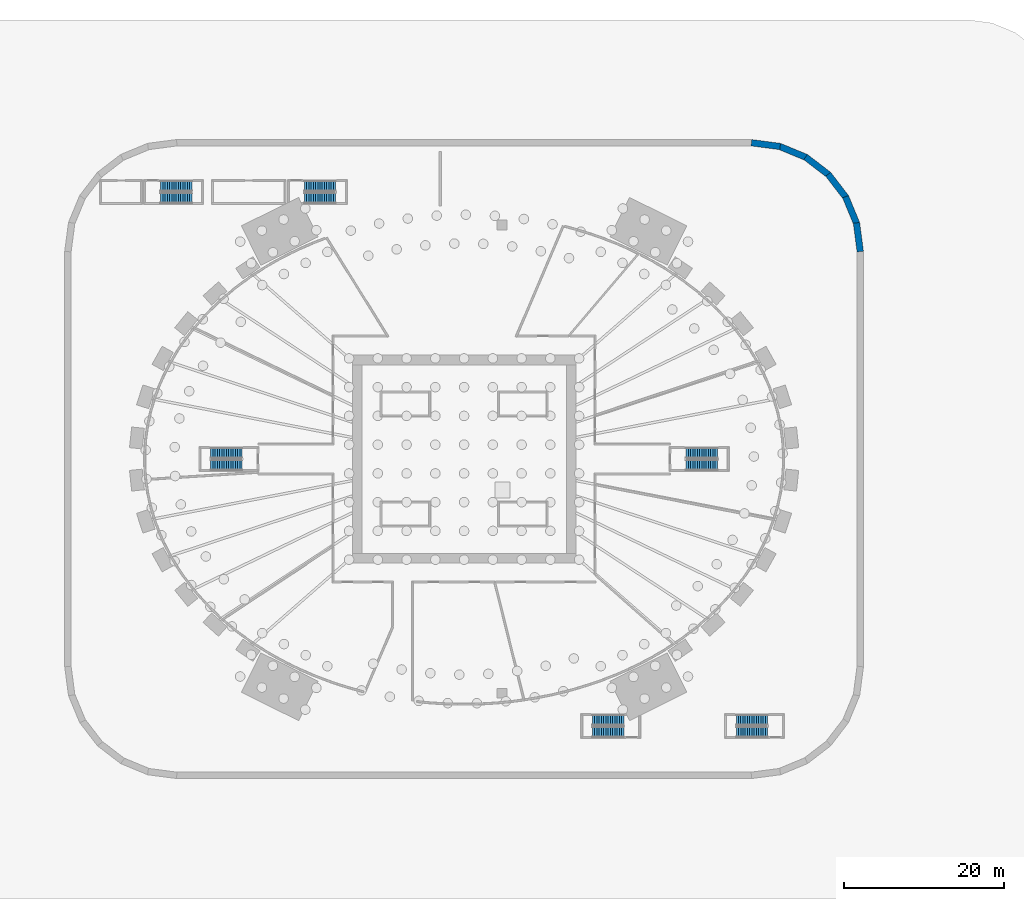
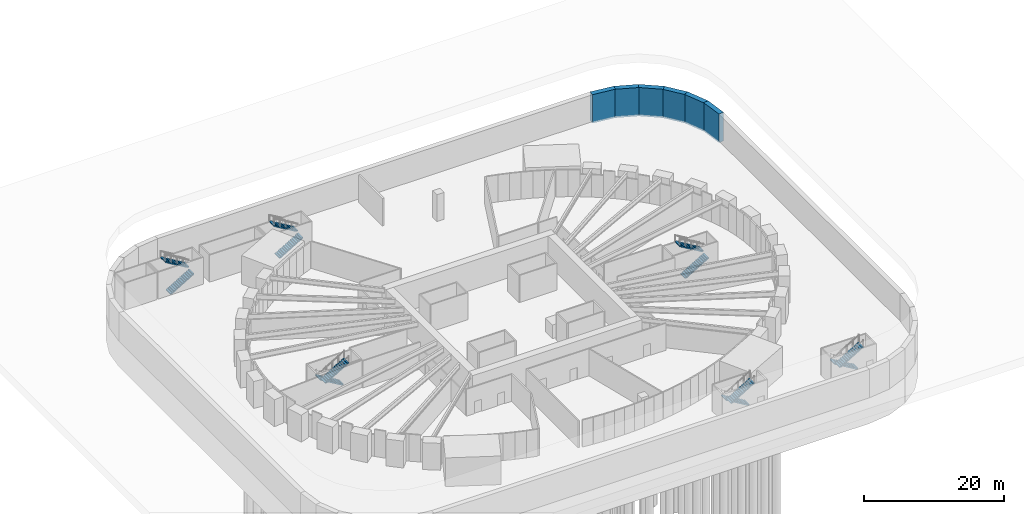
# One storey, part 8 of 14: 12 stair flights, 6 walls, 6 elements without a shape of their own.
"""IFC4 building model written with IfcOpenShell, lengths in metres."""

from ifc_helpers import new_model, si_unit, direction, frame, frame_2d, origin, place, context, subcontext, project, spatial, polyline, rectangle, outline, extrude, source, transform, mapped, material, layer, layer_set, type_object, element, aggregate, save


model = new_model("IFC4")

# Units and contexts
model_context = context("Model", 3, precision=1e-05, world=origin(), true_north=direction((0.0, 1.0)))
body_context = subcontext(model_context, "Body", "Model", "MODEL_VIEW")
ifc_project = project(units=[si_unit("LENGTHUNIT", "METRE"), si_unit("AREAUNIT", "SQUARE_METRE"), si_unit("VOLUMEUNIT", "CUBIC_METRE"), si_unit("PLANEANGLEUNIT", "RADIAN"), si_unit("MASSUNIT", "GRAM", prefix="KILO")], contexts=[model_context])

# Site, building, storey
site_placement = place(None, origin())
site = spatial("IfcSite", under=ifc_project, at=site_placement, CompositionType="ELEMENT")
building_placement = place(site_placement, origin())
building = spatial("IfcBuilding", under=site, at=building_placement, Name="Embergate Tower", CompositionType="ELEMENT")
storey_placement = place(building_placement, frame((0.0, 0.0, -10.0)))
storey = spatial("IfcBuildingStorey", under=building, at=storey_placement, Name="B2", CompositionType="ELEMENT", Elevation=-10.0)

# Walls
ifc_material = material(Name="Concrete C40", Category="concrete")
ifc_layer = layer(ifc_material, 0.800048828125)
ifc_layer_set = layer_set([ifc_layer], Name="Concrete C40")
wall_type = type_object("IfcWallType", Name="Basement retaining wall C40 800", PredefinedType="SOLIDWALL", material=ifc_layer_set)
shared_shape_1 = source(origin(), body_context, "Body", "SweptSolid", [
    extrude(rectangle(XDim=3.62890625, YDim=0.800048828125, at=frame_2d((1.814453125, 0.0))), origin(), (0.0, 0.0, 1.0), 5.0),
])
for number, where, z_axis, x_axis, name in (
    (1, (49.60302734375, 25.97412109375, -0.300048828125), (0.0, 0.0, 1.0), (-0.130383159045, 0.991463681552, 0.0), "RWL-B2-000"),
    (2, (39.572021484375, 39.1298828125, -0.300048828125), (0.0, 0.0, 1.0), (-0.991463681552, 0.130383159045, 0.0), "RWL-B2-005"),
):
    element("IfcWall", number, at=place(storey_placement, frame(where, z_axis=z_axis, x_axis=x_axis)), inside=storey, type_object=wall_type, Name=name, PredefinedType="SOLIDWALL", context=body_context, shape_type="MappedRepresentation", body=[
        mapped(shared_shape_1, transform((0.0, 0.0, 0.0))),
    ])
shared_shape_2 = source(origin(), body_context, "Body", "SweptSolid", [
    extrude(rectangle(XDim=3.65625, YDim=0.800048828125, at=frame_2d((1.828125, 0.0))), origin(), (0.0, 0.0, 1.0), 5.0),
])
for number, where, z_axis, x_axis, name in (
    (3, (49.156982421875, 29.470947265625, -0.300048828125), (0.0, 0.0, 1.0), (-0.382599476739, 0.923914303601, 0.0), "RWL-B2-001"),
    (4, (42.84912109375, 37.758056640625, -0.300048828125), (0.0, 0.0, 1.0), (-0.923914303601, 0.382599476739, 0.0), "RWL-B2-004"),
):
    element("IfcWall", number, at=place(storey_placement, frame(where, z_axis=z_axis, x_axis=x_axis)), inside=storey, type_object=wall_type, Name=name, PredefinedType="SOLIDWALL", context=body_context, shape_type="MappedRepresentation", body=[
        mapped(shared_shape_2, transform((0.0, 0.0, 0.0))),
    ])
shared_shape_3 = source(origin(), body_context, "Body", "SweptSolid", [
    extrude(rectangle(XDim=3.656005859375, YDim=0.800048828125, at=frame_2d((1.828125, 0.0))), origin(), (0.0, 0.0, 1.0), 5.0),
])
for number, where, z_axis, x_axis, name in (
    (5, (47.81005859375, 32.758056640625, -0.300048828125), (0.0, 0.0, 1.0), (-0.608619384994, 0.793462314297, 0.0), "RWL-B2-002"),
    (6, (45.658935546875, 35.5849609375, -0.300048828125), (0.0, 0.0, 1.0), (-0.793462314297, 0.608619384994, 0.0), "RWL-B2-003"),
):
    element("IfcWall", number, at=place(storey_placement, frame(where, z_axis=z_axis, x_axis=x_axis)), inside=storey, type_object=wall_type, Name=name, PredefinedType="SOLIDWALL", context=body_context, shape_type="MappedRepresentation", body=[
        mapped(shared_shape_3, transform((0.0, 0.0, 0.0))),
    ])

# Stair, stair flights
stair_type = type_object("IfcStairType", Name="Exit stair RC", PredefinedType="HALF_TURN_STAIR", material=ifc_material)
stair_1_placement = place(storey_placement, origin())
stair_1 = element("IfcStair", 7, at=stair_1_placement, inside=storey, type_object=stair_type, Name="B2 Basement exit stair S1", PredefinedType="HALF_TURN_STAIR")
stair_flight_type = type_object("IfcStairFlightType", Name="Exit stair flight RC", PredefinedType="STRAIGHT", material=ifc_material)
shared_shape_4 = source(origin(), body_context, "Body", "SweptSolid", [
    extrude(outline(polyline([(0.0, 0.0), (0.0, 0.166748046875), (0.280029296875, 0.166748046875), (0.280029296875, 0.333251953125), (0.56005859375, 0.333251953125), (0.56005859375, 0.5), (0.840087890625, 0.5), (0.840087890625, 0.666748046875), (1.1201171875, 0.666748046875), (1.1201171875, 0.833251953125), (1.39990234375, 0.833251953125), (1.39990234375, 1.0), (1.679931640625, 1.0), (1.679931640625, 1.166748046875), (1.9599609375, 1.166748046875), (1.9599609375, 1.333251953125), (2.239990234375, 1.333251953125), (2.239990234375, 1.5), (2.52001953125, 1.5), (2.52001953125, 1.666748046875), (2.800048828125, 1.666748046875), (2.800048828125, 1.833251953125), (3.080078125, 1.833251953125), (3.080078125, 2.0), (3.360107421875, 2.0), (3.360107421875, 2.166748046875), (3.639892578125, 2.166748046875), (3.639892578125, 2.333251953125), (3.919921875, 2.333251953125), (3.919921875, 2.5), (3.919921875, 2.158935546875), (0.29296875, 0.0), (0.0, 0.0)])), frame((0.0, 0.675048828125, 0.0), z_axis=(0.0, -1.0, 0.0), x_axis=(1.0, 0.0, 0.0)), (0.0, 0.0, 1.0), 1.35009765625),
])
stair_flight_1_placement = place(storey_placement, frame((-20.0, 32.675048828125, 0.0), z_axis=(0.0, 0.0, 1.0), x_axis=(1.0, 0.0, 0.0)))
stair_flight_1 = element("IfcStairFlight", 8, at=stair_flight_1_placement, type_object=stair_flight_type, Name="XS1 flight 1", NumberOfRisers=15, NumberOfTreads=14, PredefinedType="STRAIGHT", RiserHeight=0.166666667, TreadLength=0.28, context=body_context, shape_type="MappedRepresentation", body=[
    mapped(shared_shape_4, transform((0.0, 0.0, 0.0))),
])
stair_flight_2_placement = place(storey_placement, frame((-16.080078125, 34.175048828125, 2.5), z_axis=(0.0, 0.0, 1.0), x_axis=(-1.0, 0.0, 0.0)))
stair_flight_2 = element("IfcStairFlight", 9, at=stair_flight_2_placement, type_object=stair_flight_type, Name="XS1 flight 2", NumberOfRisers=15, NumberOfTreads=14, PredefinedType="STRAIGHT", RiserHeight=0.166666667, TreadLength=0.28, context=body_context, shape_type="MappedRepresentation", body=[
    mapped(shared_shape_4, transform((0.0, 0.0, 0.0))),
])
aggregate(stair_1, [stair_flight_1, stair_flight_2])

stair_2_placement = place(storey_placement, origin())
stair_2 = element("IfcStair", 10, at=stair_2_placement, inside=storey, type_object=stair_type, Name="B2 Basement exit stair S2", PredefinedType="HALF_TURN_STAIR")
stair_flight_3_placement = place(storey_placement, frame((-38.0, 32.675048828125, 0.0), z_axis=(0.0, 0.0, 1.0), x_axis=(1.0, 0.0, 0.0)))
stair_flight_3 = element("IfcStairFlight", 11, at=stair_flight_3_placement, type_object=stair_flight_type, Name="XS2 flight 1", NumberOfRisers=15, NumberOfTreads=14, PredefinedType="STRAIGHT", RiserHeight=0.166666667, TreadLength=0.28, context=body_context, shape_type="MappedRepresentation", body=[
    mapped(shared_shape_4, transform((0.0, 0.0, 0.0))),
])
stair_flight_4_placement = place(storey_placement, frame((-34.080078125, 34.175048828125, 2.5), z_axis=(0.0, 0.0, 1.0), x_axis=(-1.0, 0.0, 0.0)))
stair_flight_4 = element("IfcStairFlight", 12, at=stair_flight_4_placement, type_object=stair_flight_type, Name="XS2 flight 2", NumberOfRisers=15, NumberOfTreads=14, PredefinedType="STRAIGHT", RiserHeight=0.166666667, TreadLength=0.28, context=body_context, shape_type="MappedRepresentation", body=[
    mapped(shared_shape_4, transform((0.0, 0.0, 0.0))),
])
aggregate(stair_2, [stair_flight_3, stair_flight_4])

stair_3_placement = place(storey_placement, origin())
stair_3 = element("IfcStair", 13, at=stair_3_placement, inside=storey, type_object=stair_type, Name="B2 Basement exit stair S3", PredefinedType="HALF_TURN_STAIR")
stair_flight_5_placement = place(storey_placement, frame((20.0, -32.675048828125, 0.0), z_axis=(0.0, 0.0, 1.0), x_axis=(-1.0, 0.0, 0.0)))
stair_flight_5 = element("IfcStairFlight", 14, at=stair_flight_5_placement, type_object=stair_flight_type, Name="XS3 flight 1", NumberOfRisers=15, NumberOfTreads=14, PredefinedType="STRAIGHT", RiserHeight=0.166666667, TreadLength=0.28, context=body_context, shape_type="MappedRepresentation", body=[
    mapped(shared_shape_4, transform((0.0, 0.0, 0.0))),
])
stair_flight_6_placement = place(storey_placement, frame((16.080078125, -34.175048828125, 2.5), z_axis=(0.0, 0.0, 1.0), x_axis=(1.0, 0.0, 0.0)))
stair_flight_6 = element("IfcStairFlight", 15, at=stair_flight_6_placement, type_object=stair_flight_type, Name="XS3 flight 2", NumberOfRisers=15, NumberOfTreads=14, PredefinedType="STRAIGHT", RiserHeight=0.166666667, TreadLength=0.28, context=body_context, shape_type="MappedRepresentation", body=[
    mapped(shared_shape_4, transform((0.0, 0.0, 0.0))),
])
aggregate(stair_3, [stair_flight_5, stair_flight_6])

stair_4_placement = place(storey_placement, origin())
stair_4 = element("IfcStair", 16, at=stair_4_placement, inside=storey, type_object=stair_type, Name="B2 Basement exit stair S4", PredefinedType="HALF_TURN_STAIR")
stair_flight_7_placement = place(storey_placement, frame((38.0, -32.675048828125, 0.0), z_axis=(0.0, 0.0, 1.0), x_axis=(-1.0, 0.0, 0.0)))
stair_flight_7 = element("IfcStairFlight", 17, at=stair_flight_7_placement, type_object=stair_flight_type, Name="XS4 flight 1", NumberOfRisers=15, NumberOfTreads=14, PredefinedType="STRAIGHT", RiserHeight=0.166666667, TreadLength=0.28, context=body_context, shape_type="MappedRepresentation", body=[
    mapped(shared_shape_4, transform((0.0, 0.0, 0.0))),
])
stair_flight_8_placement = place(storey_placement, frame((34.080078125, -34.175048828125, 2.5), z_axis=(0.0, 0.0, 1.0), x_axis=(1.0, 0.0, 0.0)))
stair_flight_8 = element("IfcStairFlight", 18, at=stair_flight_8_placement, type_object=stair_flight_type, Name="XS4 flight 2", NumberOfRisers=15, NumberOfTreads=14, PredefinedType="STRAIGHT", RiserHeight=0.166666667, TreadLength=0.28, context=body_context, shape_type="MappedRepresentation", body=[
    mapped(shared_shape_4, transform((0.0, 0.0, 0.0))),
])
aggregate(stair_4, [stair_flight_7, stair_flight_8])

stair_5_placement = place(storey_placement, origin())
stair_5 = element("IfcStair", 19, at=stair_5_placement, inside=storey, type_object=stair_type, Name="B2 Basement exit stair E1", PredefinedType="HALF_TURN_STAIR")
stair_flight_9_placement = place(storey_placement, frame((27.800048828125, -0.75, 0.0), z_axis=(0.0, 0.0, 1.0), x_axis=(1.0, 0.0, 0.0)))
stair_flight_9 = element("IfcStairFlight", 20, at=stair_flight_9_placement, type_object=stair_flight_type, Name="XE1 flight 1", NumberOfRisers=15, NumberOfTreads=14, PredefinedType="STRAIGHT", RiserHeight=0.166666667, TreadLength=0.28, context=body_context, shape_type="MappedRepresentation", body=[
    mapped(shared_shape_4, transform((0.0, 0.0, 0.0))),
])
stair_flight_10_placement = place(storey_placement, frame((31.719970703125, 0.75, 2.5), z_axis=(0.0, 0.0, 1.0), x_axis=(-1.0, 0.0, 0.0)))
stair_flight_10 = element("IfcStairFlight", 21, at=stair_flight_10_placement, type_object=stair_flight_type, Name="XE1 flight 2", NumberOfRisers=15, NumberOfTreads=14, PredefinedType="STRAIGHT", RiserHeight=0.166666667, TreadLength=0.28, context=body_context, shape_type="MappedRepresentation", body=[
    mapped(shared_shape_4, transform((0.0, 0.0, 0.0))),
])
aggregate(stair_5, [stair_flight_9, stair_flight_10])

stair_6_placement = place(storey_placement, origin())
stair_6 = element("IfcStair", 22, at=stair_6_placement, inside=storey, type_object=stair_type, Name="B2 Basement exit stair W1", PredefinedType="HALF_TURN_STAIR")
stair_flight_11_placement = place(storey_placement, frame((-27.800048828125, 0.75, 0.0), z_axis=(0.0, 0.0, 1.0), x_axis=(-1.0, 0.0, 0.0)))
stair_flight_11 = element("IfcStairFlight", 23, at=stair_flight_11_placement, type_object=stair_flight_type, Name="XW1 flight 1", NumberOfRisers=15, NumberOfTreads=14, PredefinedType="STRAIGHT", RiserHeight=0.166666667, TreadLength=0.28, context=body_context, shape_type="MappedRepresentation", body=[
    mapped(shared_shape_4, transform((0.0, 0.0, 0.0))),
])
stair_flight_12_placement = place(storey_placement, frame((-31.719970703125, -0.75, 2.5), z_axis=(0.0, 0.0, 1.0), x_axis=(1.0, 0.0, 0.0)))
stair_flight_12 = element("IfcStairFlight", 24, at=stair_flight_12_placement, type_object=stair_flight_type, Name="XW1 flight 2", NumberOfRisers=15, NumberOfTreads=14, PredefinedType="STRAIGHT", RiserHeight=0.166666667, TreadLength=0.28, context=body_context, shape_type="MappedRepresentation", body=[
    mapped(shared_shape_4, transform((0.0, 0.0, 0.0))),
])
aggregate(stair_6, [stair_flight_11, stair_flight_12])

save(model, "model.ifc")
